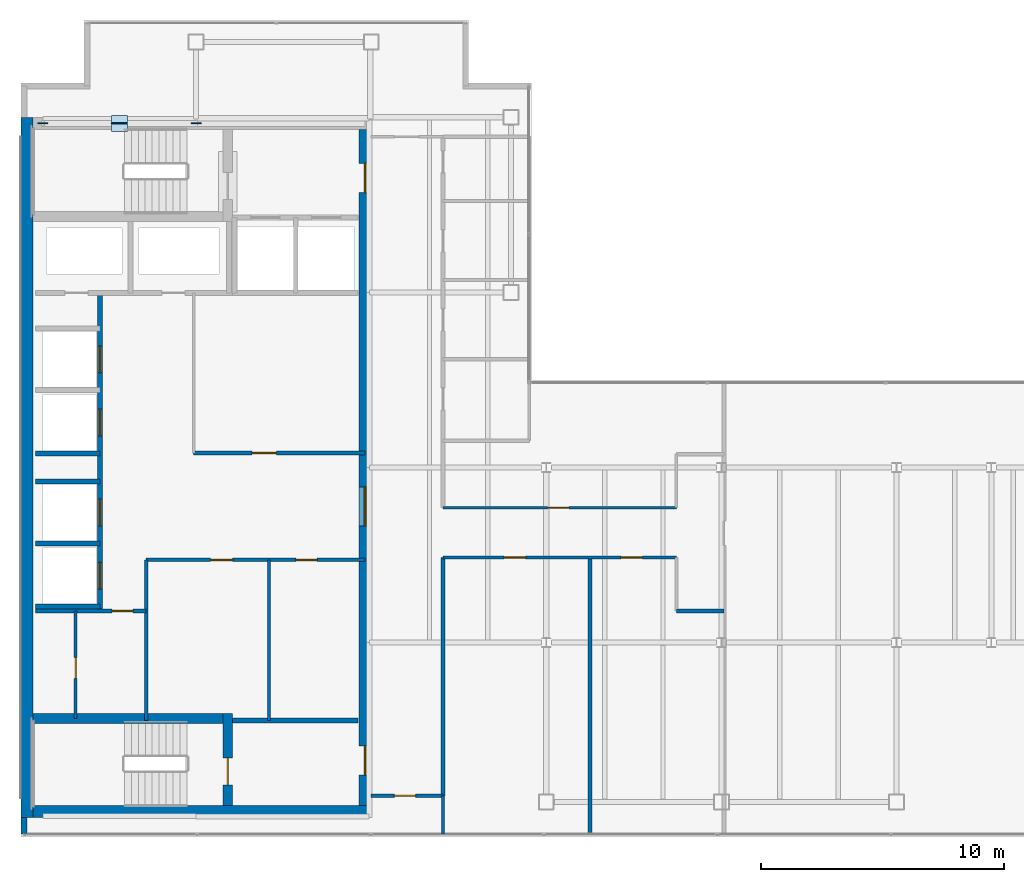
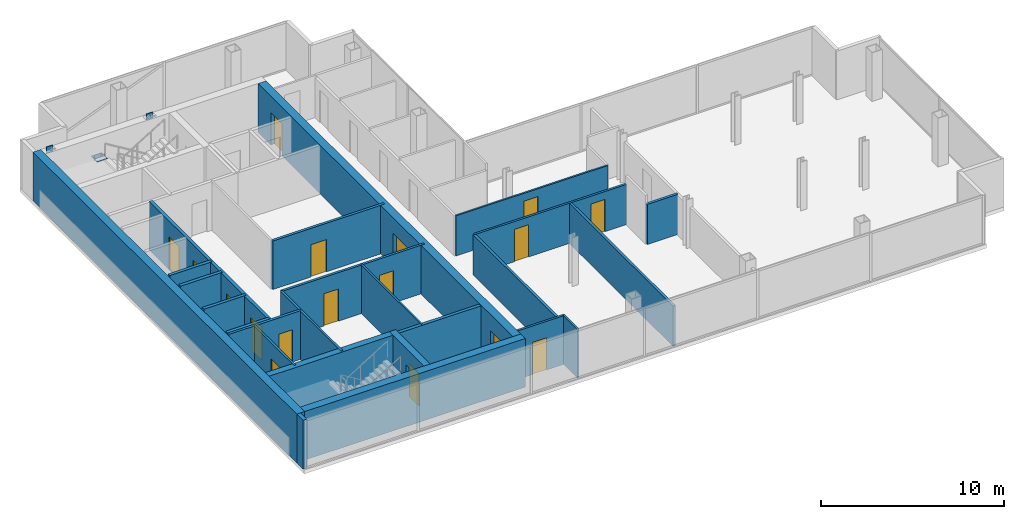
# One storey, part 20 of 23: 25 walls, 17 doors, 5 plates, 17 openings.
"""IFC4 building model written with IfcOpenShell, lengths in metres."""

from ifc_helpers import new_model, si_unit, direction, frame, frame_2d, origin, origin_2d, place, context, subcontext, project, spatial, rectangle, extrude, material, layer, layer_set, type_object, element, fill, save


model = new_model("IFC4")

# Units and contexts
model_context = context("Model", 3, precision=1e-05, world=origin(), true_north=direction((0.0, 1.0)))
body_context = subcontext(model_context, "Body", "Model", "MODEL_VIEW")
ifc_project = project(units=[si_unit("LENGTHUNIT", "METRE"), si_unit("AREAUNIT", "SQUARE_METRE"), si_unit("VOLUMEUNIT", "CUBIC_METRE"), si_unit("PLANEANGLEUNIT", "RADIAN"), si_unit("MASSUNIT", "GRAM", prefix="KILO")], contexts=[model_context])

# Site, building, storey
site_placement = place(None, origin())
site = spatial("IfcSite", under=ifc_project, at=site_placement, CompositionType="ELEMENT")
building_placement = place(site_placement, origin())
building = spatial("IfcBuilding", under=site, at=building_placement, Name="Cobrela Telecom Tower", CompositionType="ELEMENT")
storey_placement = place(building_placement, frame((0.0, 0.0, 269.14990234375)))
storey = spatial("IfcBuildingStorey", under=building, at=storey_placement, Name="L70", CompositionType="ELEMENT", Elevation=269.14990234375)

# Plates
ifc_material_1 = material(Name="Steel ASTM A572 Grade 50", Category="steel")
ifc_layer_1 = layer(ifc_material_1, 0.0419921875)
ifc_layer_set_1 = layer_set([ifc_layer_1], Name="Steel ASTM A572 Grade 50")
plate_type = type_object("IfcPlateType", Name="PLT-NODE-ND1", PredefinedType="USERDEFINED", material=ifc_layer_set_1)
for number, where, z_axis, x_axis, name in (
    (1, (7.199951171875, 35.75, 3.0751953125), (0.0, 0.0, 1.0), (1.0, 0.0, 0.0), "Steel node plate PLT-MBR-EXO-L70-N1-A-1"),
    (2, (4.173828125, 35.75, 1.349609375), (0.0, 0.0, 1.0), (-1.0, 0.0, 0.0), "Steel node plate PLT-MBR-EXO-L70-N1-B1-1"),
    (3, (3.926025390625, 35.75, 1.48046875), (0.0, 0.0, 1.0), (-1.0, 0.0, 0.0), "Steel node plate PLT-MBR-EXO-L70-N1-B2-0"),
    (4, (0.89990234375, 35.75, 3.0751953125), (0.0, 0.0, 1.0), (-1.0, 0.0, 0.0), "Steel node plate PLT-MBR-EXO-L70-N1-B2-1"),
):
    element("IfcPlate", number, at=place(storey_placement, frame(where, z_axis=z_axis, x_axis=x_axis)), inside=storey, type_object=plate_type, Name=name, ObjectType="GUSSET PLATE", PredefinedType="USERDEFINED", context=body_context, shape_type="SweptSolid", body=[
        extrude(rectangle(XDim=0.409912109375, YDim=0.044921875, at=origin_2d()), origin(), (0.0, 0.0, 1.0), 0.409912109375),
    ])
plate_placement = place(storey_placement, frame((4.050048828125, 35.75, 1.59765625), z_axis=(0.0, 0.0, 1.0), x_axis=(1.0, 0.0, 0.0)))
element("IfcPlate", 5, at=plate_placement, inside=storey, type_object=plate_type, Name="L70 Core Flange Steel X-Brace Central X-Crossing Gusset Plate", ObjectType="GUSSET PLATE", PredefinedType="USERDEFINED", context=body_context, shape_type="SweptSolid", body=[
    extrude(rectangle(XDim=0.64990234375, YDim=0.64990234375, at=origin_2d()), origin(), (0.0, 0.0, 1.0), 0.044921875),
])

# Walls
ifc_material_2 = material(Name="Concrete C40/50", Category="concrete")
ifc_layer_2 = layer(ifc_material_2, 0.5)
ifc_layer_set_2 = layer_set([ifc_layer_2], Name="Concrete C40/50")
wall_type_1 = type_object("IfcWallType", Name="WALL-CORE-C40-500", PredefinedType="SHEAR", material=ifc_layer_set_2)
wall_1_placement = place(storey_placement, frame((0.25, 7.199951171875, 0.0), z_axis=(0.0, 0.0, 1.0), x_axis=(0.0, 1.0, 0.0)))
element("IfcWall", 6, at=wall_1_placement, inside=storey, type_object=wall_type_1, Name="L70 West Core Shear Wall", PredefinedType="SHEAR", context=body_context, shape_type="SweptSolid", body=[
    extrude(rectangle(XDim=28.800048828125, YDim=0.5, at=frame_2d((14.39990234375, 0.0))), origin(), (0.0, 0.0, 1.0), 3.239990234375),
])
wall_2_placement = place(storey_placement, frame((0.5, 7.449951171875, 0.0), z_axis=(0.0, 0.0, 1.0), x_axis=(1.0, 0.0, 0.0)))
element("IfcWall", 7, at=wall_2_placement, inside=storey, type_object=wall_type_1, Name="L70 South Core Shear Wall", PredefinedType="SHEAR", context=body_context, shape_type="SweptSolid", body=[
    extrude(rectangle(XDim=13.89990234375, YDim=0.5, at=frame_2d((6.949951171875, 0.0))), origin(), (0.0, 0.0, 1.0), 3.239990234375),
])

# Wall, openings, doors
wall_3_placement = place(storey_placement, frame((14.14990234375, 35.5, 0.0), z_axis=(0.0, 0.0, 1.0), x_axis=(0.0, -1.0, 0.0)))
wall_3 = element("IfcWall", 8, at=wall_3_placement, inside=storey, type_object=wall_type_1, Name="L70 East Core Shear Wall", PredefinedType="SHEAR", context=body_context, shape_type="SweptSolid", body=[
    extrude(rectangle(XDim=27.800048828125, YDim=0.5, at=frame_2d((13.89990234375, 0.0))), origin(), (0.0, 0.0, 1.0), 3.239990234375),
])
opening_1_placement = place(wall_3_placement, frame((1.39990234375, 0.0, 0.0)))
opening_1 = element("IfcOpeningElement", 9, at=opening_1_placement, cuts=wall_3, Name="Opening DR-19", PredefinedType="OPENING", context=body_context, shape_type="SweptSolid", body=[
    extrude(rectangle(XDim=1.199951171875, YDim=2.14990234375, at=frame_2d((0.60009765625, 1.074951171875))), frame((0.0, 0.261962890625, 0.0), z_axis=(0.0, -1.0, 0.0), x_axis=(1.0, 0.0, 0.0)), (0.0, 0.0, 1.0), 0.52392578125),
])
opening_2_placement = place(wall_3_placement, frame((25.35009765625, 0.0, 0.0)))
opening_2 = element("IfcOpeningElement", 10, at=opening_2_placement, cuts=wall_3, Name="Opening DR-19", PredefinedType="OPENING", context=body_context, shape_type="SweptSolid", body=[
    extrude(rectangle(XDim=1.199951171875, YDim=2.14990234375, at=frame_2d((0.60009765625, 1.074951171875))), frame((0.0, 0.261962890625, 0.0), z_axis=(0.0, -1.0, 0.0), x_axis=(1.0, 0.0, 0.0)), (0.0, 0.0, 1.0), 0.52392578125),
])
opening_3_placement = place(wall_3_placement, frame((14.699951171875, 0.0, 0.0)))
opening_3 = element("IfcOpeningElement", 11, at=opening_3_placement, cuts=wall_3, Name="Opening DR-51", PredefinedType="OPENING", context=body_context, shape_type="SweptSolid", body=[
    extrude(rectangle(XDim=1.60009765625, YDim=2.199951171875, at=frame_2d((0.800048828125, 1.10009765625))), frame((0.0, 0.261962890625, 0.0), z_axis=(0.0, -1.0, 0.0), x_axis=(1.0, 0.0, 0.0)), (0.0, 0.0, 1.0), 0.52392578125),
])
ifc_material_3 = material(Name="Steel ASTM A36", Category="steel")
door_type_1 = type_object("IfcDoorType", Name="DOOR-FD60-1200", OperationType="SINGLE_SWING_LEFT", PredefinedType="DOOR", material=ifc_material_3)
door_1_placement = place(opening_1_placement, origin())
door_1 = element("IfcDoor", 12, at=door_1_placement, inside=storey, type_object=door_type_1, Name="L70 Door DR-19", OperationType="SINGLE_SWING_LEFT", OverallHeight=2.14990234375, OverallWidth=1.199951171875, PredefinedType="DOOR", context=body_context, shape_type="SweptSolid", body=[
    extrude(rectangle(XDim=1.199951171875, YDim=2.14990234375, at=frame_2d((0.60009765625, 1.074951171875))), frame((0.0, 0.02490234375, 0.0), z_axis=(0.0, -1.0, 0.0), x_axis=(1.0, 0.0, 0.0)), (0.0, 0.0, 1.0), 0.050048828125),
])
fill(opening_1, door_1)
door_2_placement = place(opening_2_placement, origin())
door_2 = element("IfcDoor", 13, at=door_2_placement, inside=storey, type_object=door_type_1, Name="L70 Door DR-19", OperationType="SINGLE_SWING_RIGHT", OverallHeight=2.14990234375, OverallWidth=1.199951171875, PredefinedType="DOOR", context=body_context, shape_type="SweptSolid", body=[
    extrude(rectangle(XDim=1.199951171875, YDim=2.14990234375, at=frame_2d((0.60009765625, 1.074951171875))), frame((0.0, 0.02490234375, 0.0), z_axis=(0.0, -1.0, 0.0), x_axis=(1.0, 0.0, 0.0)), (0.0, 0.0, 1.0), 0.050048828125),
])
fill(opening_2, door_2)
door_type_2 = type_object("IfcDoorType", Name="DOOR-FD60-1600", OperationType="SINGLE_SWING_LEFT", PredefinedType="DOOR", material=ifc_material_3)
door_3_placement = place(opening_3_placement, origin())
door_3 = element("IfcDoor", 14, at=door_3_placement, inside=storey, type_object=door_type_2, Name="L70 Door DR-51", OperationType="DOUBLE_DOOR_SINGLE_SWING", OverallHeight=2.199951171875, OverallWidth=1.60009765625, PredefinedType="DOOR", context=body_context, shape_type="SweptSolid", body=[
    extrude(rectangle(XDim=1.60009765625, YDim=2.199951171875, at=frame_2d((0.800048828125, 1.10009765625))), frame((0.0, 0.02490234375, 0.0), z_axis=(0.0, -1.0, 0.0), x_axis=(1.0, 0.0, 0.0)), (0.0, 0.0, 1.0), 0.050048828125),
])
fill(opening_3, door_3)

# Walls
ifc_layer_3 = layer(ifc_material_2, 0.239990234375)
ifc_layer_set_3 = layer_set([ifc_layer_3], Name="Concrete C40/50")
wall_type_2 = type_object("IfcWallType", Name="WALL-EXT-300", PredefinedType="STANDARD", material=ifc_layer_set_3)
wall_4_placement = place(storey_placement, frame((0.1201171875, 6.52001953125, 0.0), z_axis=(0.0, 0.0, 1.0), x_axis=(0.0, 1.0, 0.0)))
element("IfcWall", 15, at=wall_4_placement, inside=storey, type_object=wall_type_2, Name="L70 Insulated Facade Wall 01", PredefinedType="STANDARD", context=body_context, shape_type="SweptSolid", body=[
    extrude(rectangle(XDim=0.679931640625, YDim=0.239990234375, at=frame_2d((0.33984375, 0.0))), origin(), (0.0, 0.0, 1.0), 3.239990234375),
])
ifc_material_4 = material(Name="Fire-Rated Gypsum Plasterboard")
ifc_layer_4 = layer(ifc_material_4, 0.110107421875)
ifc_layer_set_4 = layer_set([ifc_layer_4], Name="Fire-Rated Gypsum Plasterboard")
wall_type_3 = type_object("IfcWallType", Name="WALL-PART-110", PredefinedType="PARTITIONING", material=ifc_layer_set_4)
wall_5_placement = place(storey_placement, frame((10.199951171875, 11.199951171875, 0.0), z_axis=(0.0, 0.0, 1.0), x_axis=(0.0, 1.0, 0.0)))
element("IfcWall", 16, at=wall_5_placement, inside=storey, type_object=wall_type_3, Name="L70 Interior Partition CW-RECM-V", PredefinedType="PARTITIONING", context=body_context, shape_type="SweptSolid", body=[
    extrude(rectangle(XDim=6.60009765625, YDim=0.110107421875, at=frame_2d((3.300048828125, 0.0))), origin(), (0.0, 0.0, 1.0), 3.239990234375),
])

# Wall, opening, door
wall_6_placement = place(storey_placement, frame((17.35009765625, 19.949951171875, 0.0), z_axis=(0.0, 0.0, 1.0), x_axis=(1.0, 0.0, 0.0)))
wall_6 = element("IfcWall", 17, at=wall_6_placement, inside=storey, type_object=wall_type_3, Name="L70 Interior Partition W-C-HN", PredefinedType="PARTITIONING", context=body_context, shape_type="SweptSolid", body=[
    extrude(rectangle(XDim=9.599853515625, YDim=0.110107421875, at=frame_2d((4.7998046875, 0.0))), origin(), (0.0, 0.0, 1.0), 2.676025390625),
])
opening_4_placement = place(wall_6_placement, frame((4.300048828125, 0.0, 0.0)))
opening_4 = element("IfcOpeningElement", 18, at=opening_4_placement, cuts=wall_6, Name="Opening DR-39", PredefinedType="OPENING", context=body_context, shape_type="SweptSolid", body=[
    extrude(rectangle(XDim=0.8798828125, YDim=2.14990234375, at=frame_2d((0.43994140625, 1.074951171875))), frame((0.0, 0.06689453125, 0.0), z_axis=(0.0, -1.0, 0.0), x_axis=(1.0, 0.0, 0.0)), (0.0, 0.0, 1.0), 0.134033203125),
])
ifc_material_5 = material(Name="Solid Engineered Oak Timber", Category="wood")
door_type_3 = type_object("IfcDoorType", Name="DOOR-INT-880", OperationType="SINGLE_SWING_LEFT", PredefinedType="DOOR", material=ifc_material_5)
door_4_placement = place(opening_4_placement, origin())
door_4 = element("IfcDoor", 19, at=door_4_placement, inside=storey, type_object=door_type_3, Name="L70 Door DR-39", OperationType="SINGLE_SWING_LEFT", OverallHeight=2.14990234375, OverallWidth=0.8798828125, PredefinedType="DOOR", context=body_context, shape_type="SweptSolid", body=[
    extrude(rectangle(XDim=0.8798828125, YDim=2.14990234375, at=frame_2d((0.43994140625, 1.074951171875))), frame((0.0, 0.02490234375, 0.0), z_axis=(0.0, -1.0, 0.0), x_axis=(1.0, 0.0, 0.0)), (0.0, 0.0, 1.0), 0.050048828125),
])
fill(opening_4, door_4)

# Wall
wall_7_placement = place(storey_placement, frame((17.35009765625, 6.52001953125, 0.0), z_axis=(0.0, 0.0, 1.0), x_axis=(0.0, 1.0, 0.0)))
element("IfcWall", 20, at=wall_7_placement, inside=storey, type_object=wall_type_3, Name="L70 Interior Partition W-SW-E", PredefinedType="PARTITIONING", context=body_context, shape_type="SweptSolid", body=[
    extrude(rectangle(XDim=1.580078125, YDim=0.110107421875, at=frame_2d((0.7900390625, 0.0))), origin(), (0.0, 0.0, 1.0), 3.239990234375),
])

# Wall, opening, door
ifc_layer_5 = layer(ifc_material_4, 0.125)
ifc_layer_set_5 = layer_set([ifc_layer_5], Name="Fire-Rated Gypsum Plasterboard")
wall_type_4 = type_object("IfcWallType", Name="WALL-PART-125", PredefinedType="PARTITIONING", material=ifc_layer_set_5)
wall_8_placement = place(storey_placement, frame((2.25, 11.280029296875, 0.0), z_axis=(0.0, 0.0, 1.0), x_axis=(0.0, 1.0, 0.0)))
wall_8 = element("IfcWall", 21, at=wall_8_placement, inside=storey, type_object=wall_type_4, Name="L70 Interior Partition CW-FK0-V", PredefinedType="PARTITIONING", context=body_context, shape_type="SweptSolid", body=[
    extrude(rectangle(XDim=4.419921875, YDim=0.125, at=frame_2d((2.2099609375, 0.0))), origin(), (0.0, 0.0, 1.0), 3.239990234375),
])
opening_5_placement = place(wall_8_placement, frame((1.64990234375, 0.0, 0.0)))
opening_5 = element("IfcOpeningElement", 22, at=opening_5_placement, cuts=wall_8, Name="Opening DR-11", PredefinedType="OPENING", context=body_context, shape_type="SweptSolid", body=[
    extrude(rectangle(XDim=0.85009765625, YDim=2.14990234375, at=frame_2d((0.425048828125, 1.074951171875))), frame((0.0, 0.074462890625, 0.0), z_axis=(0.0, -1.0, 0.0), x_axis=(1.0, 0.0, 0.0)), (0.0, 0.0, 1.0), 0.14892578125),
])
door_type_4 = type_object("IfcDoorType", Name="DOOR-INT-850", OperationType="SINGLE_SWING_LEFT", PredefinedType="DOOR", material=ifc_material_5)
door_5_placement = place(opening_5_placement, origin())
door_5 = element("IfcDoor", 23, at=door_5_placement, inside=storey, type_object=door_type_4, Name="L70 Door DR-11", OperationType="SINGLE_SWING_LEFT", OverallHeight=2.14990234375, OverallWidth=0.85009765625, PredefinedType="DOOR", context=body_context, shape_type="SweptSolid", body=[
    extrude(rectangle(XDim=0.85009765625, YDim=2.14990234375, at=frame_2d((0.425048828125, 1.074951171875))), frame((0.0, 0.02490234375, 0.0), z_axis=(0.0, -1.0, 0.0), x_axis=(1.0, 0.0, 0.0)), (0.0, 0.0, 1.0), 0.050048828125),
])
fill(opening_5, door_5)

# Wall
ifc_layer_6 = layer(ifc_material_4, 0.135009765625)
ifc_layer_set_6 = layer_set([ifc_layer_6], Name="Fire-Rated Gypsum Plasterboard")
wall_type_5 = type_object("IfcWallType", Name="WALL-PART-135", PredefinedType="PARTITIONING", material=ifc_layer_set_6)
wall_9_placement = place(storey_placement, frame((5.14990234375, 11.199951171875, 0.0), z_axis=(0.0, 0.0, 1.0), x_axis=(0.0, 1.0, 0.0)))
element("IfcWall", 24, at=wall_9_placement, inside=storey, type_object=wall_type_5, Name="L70 Interior Partition CW-RECM-W", PredefinedType="PARTITIONING", context=body_context, shape_type="SweptSolid", body=[
    extrude(rectangle(XDim=6.60009765625, YDim=0.135009765625, at=frame_2d((3.300048828125, 0.0))), origin(), (0.0, 0.0, 1.0), 3.239990234375),
])

# Wall, opening, door
wall_10_placement = place(storey_placement, frame((14.39990234375, 8.10009765625, 0.0), z_axis=(0.0, 0.0, 1.0), x_axis=(1.0, 0.0, 0.0)))
wall_10 = element("IfcWall", 25, at=wall_10_placement, inside=storey, type_object=wall_type_5, Name="L70 Interior Partition W-C-S0", PredefinedType="PARTITIONING", context=body_context, shape_type="SweptSolid", body=[
    extrude(rectangle(XDim=2.9501953125, YDim=0.135009765625, at=frame_2d((1.47509765625, 0.0))), origin(), (0.0, 0.0, 1.0), 3.239990234375),
])
opening_6_placement = place(wall_10_placement, frame((0.949951171875, 0.0, 0.0)))
opening_6 = element("IfcOpeningElement", 26, at=opening_6_placement, cuts=wall_10, Name="Opening DR-39", PredefinedType="OPENING", context=body_context, shape_type="SweptSolid", body=[
    extrude(rectangle(XDim=0.8798828125, YDim=2.14990234375, at=frame_2d((0.43994140625, 1.074951171875))), frame((0.0, 0.07958984375, 0.0), z_axis=(0.0, -1.0, 0.0), x_axis=(1.0, 0.0, 0.0)), (0.0, 0.0, 1.0), 0.158935546875),
])
door_6_placement = place(opening_6_placement, origin())
door_6 = element("IfcDoor", 27, at=door_6_placement, inside=storey, type_object=door_type_3, Name="L70 Door DR-39", OperationType="SINGLE_SWING_RIGHT", OverallHeight=2.14990234375, OverallWidth=0.8798828125, PredefinedType="DOOR", context=body_context, shape_type="SweptSolid", body=[
    extrude(rectangle(XDim=0.8798828125, YDim=2.14990234375, at=frame_2d((0.43994140625, 1.074951171875))), frame((0.0, 0.02490234375, 0.0), z_axis=(0.0, -1.0, 0.0), x_axis=(1.0, 0.0, 0.0)), (0.0, 0.0, 1.0), 0.050048828125),
])
fill(opening_6, door_6)

# Wall, openings, doors
wall_11_placement = place(storey_placement, frame((17.35009765625, 17.89990234375, 0.0), z_axis=(0.0, 0.0, 1.0), x_axis=(1.0, 0.0, 0.0)))
wall_11 = element("IfcWall", 28, at=wall_11_placement, inside=storey, type_object=wall_type_5, Name="L70 Interior Partition W-C-HS", PredefinedType="PARTITIONING", context=body_context, shape_type="SweptSolid", body=[
    extrude(rectangle(XDim=9.599853515625, YDim=0.135009765625, at=frame_2d((4.7998046875, 0.0))), origin(), (0.0, 0.0, 1.0), 2.676025390625),
])
opening_7_placement = place(wall_11_placement, frame((2.52001953125, 0.0, 0.0)))
opening_7 = element("IfcOpeningElement", 29, at=opening_7_placement, cuts=wall_11, Name="Opening DR-39", PredefinedType="OPENING", context=body_context, shape_type="SweptSolid", body=[
    extrude(rectangle(XDim=0.8798828125, YDim=2.14990234375, at=frame_2d((0.43994140625, 1.074951171875))), frame((0.0, 0.07958984375, 0.0), z_axis=(0.0, -1.0, 0.0), x_axis=(1.0, 0.0, 0.0)), (0.0, 0.0, 1.0), 0.158935546875),
])
opening_8_placement = place(wall_11_placement, frame((7.320068359375, 0.0, 0.0)))
opening_8 = element("IfcOpeningElement", 30, at=opening_8_placement, cuts=wall_11, Name="Opening DR-39", PredefinedType="OPENING", context=body_context, shape_type="SweptSolid", body=[
    extrude(rectangle(XDim=0.8798828125, YDim=2.14990234375, at=frame_2d((0.43994140625, 1.074951171875))), frame((0.0, 0.07958984375, 0.0), z_axis=(0.0, -1.0, 0.0), x_axis=(1.0, 0.0, 0.0)), (0.0, 0.0, 1.0), 0.158935546875),
])
door_7_placement = place(opening_7_placement, origin())
door_7 = element("IfcDoor", 31, at=door_7_placement, inside=storey, type_object=door_type_3, Name="L70 Door DR-39", OperationType="SINGLE_SWING_LEFT", OverallHeight=2.14990234375, OverallWidth=0.8798828125, PredefinedType="DOOR", context=body_context, shape_type="SweptSolid", body=[
    extrude(rectangle(XDim=0.8798828125, YDim=2.14990234375, at=frame_2d((0.43994140625, 1.074951171875))), frame((0.0, 0.02490234375, 0.0), z_axis=(0.0, -1.0, 0.0), x_axis=(1.0, 0.0, 0.0)), (0.0, 0.0, 1.0), 0.050048828125),
])
fill(opening_7, door_7)
door_8_placement = place(opening_8_placement, origin())
door_8 = element("IfcDoor", 32, at=door_8_placement, inside=storey, type_object=door_type_3, Name="L70 Door DR-39", OperationType="SINGLE_SWING_RIGHT", OverallHeight=2.14990234375, OverallWidth=0.8798828125, PredefinedType="DOOR", context=body_context, shape_type="SweptSolid", body=[
    extrude(rectangle(XDim=0.8798828125, YDim=2.14990234375, at=frame_2d((0.43994140625, 1.074951171875))), frame((0.0, 0.02490234375, 0.0), z_axis=(0.0, -1.0, 0.0), x_axis=(1.0, 0.0, 0.0)), (0.0, 0.0, 1.0), 0.050048828125),
])
fill(opening_8, door_8)

ifc_layer_7 = layer(ifc_material_4, 0.14990234375)
ifc_layer_set_7 = layer_set([ifc_layer_7], Name="Fire-Rated Gypsum Plasterboard")
wall_type_6 = type_object("IfcWallType", Name="WALL-PART-150", PredefinedType="PARTITIONING", material=ifc_layer_set_7)
wall_12_placement = place(storey_placement, frame((5.14990234375, 17.800048828125, 0.0), z_axis=(0.0, 0.0, 1.0), x_axis=(1.0, 0.0, 0.0)))
wall_12 = element("IfcWall", 33, at=wall_12_placement, inside=storey, type_object=wall_type_6, Name="L70 Interior Partition CW-RECM-N", PredefinedType="PARTITIONING", context=body_context, shape_type="SweptSolid", body=[
    extrude(rectangle(XDim=9.0, YDim=0.14990234375, at=frame_2d((4.5, 0.0))), origin(), (0.0, 0.0, 1.0), 3.239990234375),
])
opening_9_placement = place(wall_12_placement, frame((2.64990234375, 0.0, 0.0)))
opening_9 = element("IfcOpeningElement", 34, at=opening_9_placement, cuts=wall_12, Name="Opening DR-41", PredefinedType="OPENING", context=body_context, shape_type="SweptSolid", body=[
    extrude(rectangle(XDim=0.89990234375, YDim=2.14990234375, at=frame_2d((0.449951171875, 1.074951171875))), frame((0.0, 0.0869140625, 0.0), z_axis=(0.0, -1.0, 0.0), x_axis=(1.0, 0.0, 0.0)), (0.0, 0.0, 1.0), 0.173828125),
])
opening_10_placement = place(wall_12_placement, frame((6.14990234375, 0.0, 0.0)))
opening_10 = element("IfcOpeningElement", 35, at=opening_10_placement, cuts=wall_12, Name="Opening DR-39", PredefinedType="OPENING", context=body_context, shape_type="SweptSolid", body=[
    extrude(rectangle(XDim=0.8798828125, YDim=2.14990234375, at=frame_2d((0.43994140625, 1.074951171875))), frame((0.0, 0.0869140625, 0.0), z_axis=(0.0, -1.0, 0.0), x_axis=(1.0, 0.0, 0.0)), (0.0, 0.0, 1.0), 0.173828125),
])
door_9_placement = place(opening_10_placement, origin())
door_9 = element("IfcDoor", 36, at=door_9_placement, inside=storey, type_object=door_type_3, Name="L70 Door DR-39", OperationType="SINGLE_SWING_RIGHT", OverallHeight=2.14990234375, OverallWidth=0.8798828125, PredefinedType="DOOR", context=body_context, shape_type="SweptSolid", body=[
    extrude(rectangle(XDim=0.8798828125, YDim=2.14990234375, at=frame_2d((0.43994140625, 1.074951171875))), frame((0.0, 0.02490234375, 0.0), z_axis=(0.0, -1.0, 0.0), x_axis=(1.0, 0.0, 0.0)), (0.0, 0.0, 1.0), 0.050048828125),
])
fill(opening_10, door_9)
door_type_5 = type_object("IfcDoorType", Name="DOOR-INT-900", OperationType="SINGLE_SWING_LEFT", PredefinedType="DOOR", material=ifc_material_5)
door_10_placement = place(opening_9_placement, origin())
door_10 = element("IfcDoor", 37, at=door_10_placement, inside=storey, type_object=door_type_5, Name="L70 Door DR-41", OperationType="SINGLE_SWING_LEFT", OverallHeight=2.14990234375, OverallWidth=0.89990234375, PredefinedType="DOOR", context=body_context, shape_type="SweptSolid", body=[
    extrude(rectangle(XDim=0.89990234375, YDim=2.14990234375, at=frame_2d((0.449951171875, 1.074951171875))), frame((0.0, 0.02490234375, 0.0), z_axis=(0.0, -1.0, 0.0), x_axis=(1.0, 0.0, 0.0)), (0.0, 0.0, 1.0), 0.050048828125),
])
fill(opening_9, door_10)

# Wall, opening, door
ifc_layer_8 = layer(ifc_material_4, 0.159912109375)
ifc_layer_set_8 = layer_set([ifc_layer_8], Name="Fire-Rated Gypsum Plasterboard")
wall_type_7 = type_object("IfcWallType", Name="WALL-PART-160", PredefinedType="PARTITIONING", material=ifc_layer_set_8)
wall_13_placement = place(storey_placement, frame((7.10009765625, 22.199951171875, 0.0), z_axis=(0.0, 0.0, 1.0), x_axis=(1.0, 0.0, 0.0)))
wall_13 = element("IfcWall", 38, at=wall_13_placement, inside=storey, type_object=wall_type_7, Name="L70 Interior Partition CW-RECL-S", PredefinedType="PARTITIONING", context=body_context, shape_type="SweptSolid", body=[
    extrude(rectangle(XDim=7.0498046875, YDim=0.159912109375, at=frame_2d((3.52490234375, 0.0))), origin(), (0.0, 0.0, 1.0), 3.239990234375),
])
opening_11_placement = place(wall_13_placement, frame((2.39990234375, 0.0, 0.0)))
opening_11 = element("IfcOpeningElement", 39, at=opening_11_placement, cuts=wall_13, Name="Opening DR-31", PredefinedType="OPENING", context=body_context, shape_type="SweptSolid", body=[
    extrude(rectangle(XDim=1.0, YDim=2.14990234375, at=frame_2d((0.5, 1.074951171875))), frame((0.0, 0.091796875, 0.0), z_axis=(0.0, -1.0, 0.0), x_axis=(1.0, 0.0, 0.0)), (0.0, 0.0, 1.0), 0.183837890625),
])
door_type_6 = type_object("IfcDoorType", Name="DOOR-INT-1000", OperationType="SINGLE_SWING_LEFT", PredefinedType="DOOR", material=ifc_material_5)
door_11_placement = place(opening_11_placement, origin())
door_11 = element("IfcDoor", 40, at=door_11_placement, inside=storey, type_object=door_type_6, Name="L70 Door DR-31", OperationType="SINGLE_SWING_LEFT", OverallHeight=2.14990234375, OverallWidth=1.0, PredefinedType="DOOR", context=body_context, shape_type="SweptSolid", body=[
    extrude(rectangle(XDim=1.0, YDim=2.14990234375, at=frame_2d((0.5, 1.074951171875))), frame((0.0, 0.02490234375, 0.0), z_axis=(0.0, -1.0, 0.0), x_axis=(1.0, 0.0, 0.0)), (0.0, 0.0, 1.0), 0.050048828125),
])
fill(opening_11, door_11)

wall_14_placement = place(storey_placement, frame((0.60009765625, 15.699951171875, 0.0), z_axis=(0.0, 0.0, 1.0), x_axis=(1.0, 0.0, 0.0)))
wall_14 = element("IfcWall", 41, at=wall_14_placement, inside=storey, type_object=wall_type_7, Name="L70 Interior Partition CW-FLEX-N", PredefinedType="PARTITIONING", context=body_context, shape_type="SweptSolid", body=[
    extrude(rectangle(XDim=4.5498046875, YDim=0.159912109375, at=frame_2d((2.27490234375, 0.0))), origin(), (0.0, 0.0, 1.0), 3.239990234375),
])
opening_12_placement = place(wall_14_placement, frame((3.14990234375, 0.0, 0.0)))
opening_12 = element("IfcOpeningElement", 42, at=opening_12_placement, cuts=wall_14, Name="Opening DR-11", PredefinedType="OPENING", context=body_context, shape_type="SweptSolid", body=[
    extrude(rectangle(XDim=0.85009765625, YDim=2.14990234375, at=frame_2d((0.425048828125, 1.074951171875))), frame((0.0, 0.091796875, 0.0), z_axis=(0.0, -1.0, 0.0), x_axis=(1.0, 0.0, 0.0)), (0.0, 0.0, 1.0), 0.183837890625),
])
door_12_placement = place(opening_12_placement, origin())
door_12 = element("IfcDoor", 43, at=door_12_placement, inside=storey, type_object=door_type_4, Name="L70 Door DR-11", OperationType="SINGLE_SWING_RIGHT", OverallHeight=2.14990234375, OverallWidth=0.85009765625, PredefinedType="DOOR", context=body_context, shape_type="SweptSolid", body=[
    extrude(rectangle(XDim=0.85009765625, YDim=2.14990234375, at=frame_2d((0.425048828125, 1.074951171875))), frame((0.0, 0.02490234375, 0.0), z_axis=(0.0, -1.0, 0.0), x_axis=(1.0, 0.0, 0.0)), (0.0, 0.0, 1.0), 0.050048828125),
])
fill(opening_12, door_12)

# Walls
wall_15_placement = place(storey_placement, frame((17.35009765625, 8.10009765625, 0.0), z_axis=(0.0, 0.0, 1.0), x_axis=(0.0, 1.0, 0.0)))
element("IfcWall", 44, at=wall_15_placement, inside=storey, type_object=wall_type_7, Name="L70 Interior Partition W-C-E1", PredefinedType="PARTITIONING", context=body_context, shape_type="SweptSolid", body=[
    extrude(rectangle(XDim=9.7998046875, YDim=0.159912109375, at=frame_2d((4.89990234375, 0.0))), origin(), (0.0, 0.0, 1.0), 2.676025390625),
])
wall_16_placement = place(storey_placement, frame((26.949951171875, 15.699951171875, 0.0), z_axis=(0.0, 0.0, 1.0), x_axis=(1.0, 0.0, 0.0)))
element("IfcWall", 45, at=wall_16_placement, inside=storey, type_object=wall_type_7, Name="L70 Interior Partition W-CT-S", PredefinedType="PARTITIONING", context=body_context, shape_type="SweptSolid", body=[
    extrude(rectangle(XDim=1.949951171875, YDim=0.159912109375, at=frame_2d((0.97509765625, 0.0))), origin(), (0.0, 0.0, 1.0), 2.676025390625),
])
wall_17_placement = place(storey_placement, frame((23.39990234375, 6.52001953125, 0.0), z_axis=(0.0, 0.0, 1.0), x_axis=(0.0, 1.0, 0.0)))
element("IfcWall", 46, at=wall_17_placement, inside=storey, type_object=wall_type_7, Name="L70 Interior Partition W-SV-1", PredefinedType="PARTITIONING", context=body_context, shape_type="SweptSolid", body=[
    extrude(rectangle(XDim=11.3798828125, YDim=0.159912109375, at=frame_2d((5.68994140625, 0.0))), origin(), (0.0, 0.0, 1.0), 2.676025390625),
])
ifc_layer_9 = layer(ifc_material_4, 0.199951171875)
ifc_layer_set_9 = layer_set([ifc_layer_9], Name="Fire-Rated Gypsum Plasterboard")
wall_type_8 = type_object("IfcWallType", Name="WALL-SHAFT-200", PredefinedType="PARTITIONING", material=ifc_layer_set_9)
wall_18_placement = place(storey_placement, frame((8.699951171875, 11.199951171875, 0.0), z_axis=(0.0, 0.0, 1.0), x_axis=(1.0, 0.0, 0.0)))
element("IfcWall", 47, at=wall_18_placement, inside=storey, type_object=wall_type_8, Name="L70 Shaft Enclosure CW-ST2L-N", PredefinedType="PARTITIONING", context=body_context, shape_type="SweptSolid", body=[
    extrude(rectangle(XDim=5.150146484375, YDim=0.199951171875, at=frame_2d((2.5751953125, 0.0))), origin(), (0.0, 0.0, 1.0), 3.239990234375),
])

# Wall, openings, doors
wall_19_placement = place(storey_placement, frame((3.25, 15.699951171875, 0.0), z_axis=(0.0, 0.0, 1.0), x_axis=(0.0, 1.0, 0.0)))
wall_19 = element("IfcWall", 48, at=wall_19_placement, inside=storey, type_object=wall_type_8, Name="L70 Shaft Enclosure CW-PLH-E", PredefinedType="PARTITIONING", context=body_context, shape_type="SweptSolid", body=[
    extrude(rectangle(XDim=13.080078125, YDim=0.199951171875, at=frame_2d((6.5400390625, 0.0))), origin(), (0.0, 0.0, 1.0), 3.239990234375),
])
opening_13_placement = place(wall_19_placement, frame((0.89990234375, 0.0, 0.0)))
opening_13 = element("IfcOpeningElement", 49, at=opening_13_placement, cuts=wall_19, Name="Opening LD-1", PredefinedType="OPENING", context=body_context, shape_type="SweptSolid", body=[
    extrude(rectangle(XDim=1.10009765625, YDim=2.199951171875, at=frame_2d((0.550048828125, 1.10009765625))), frame((0.0, 0.11181640625, 0.0), z_axis=(0.0, -1.0, 0.0), x_axis=(1.0, 0.0, 0.0)), (0.0, 0.0, 1.0), 0.223876953125),
])
opening_14_placement = place(wall_19_placement, frame((3.5, 0.0, 0.0)))
opening_14 = element("IfcOpeningElement", 50, at=opening_14_placement, cuts=wall_19, Name="Opening LD-1", PredefinedType="OPENING", context=body_context, shape_type="SweptSolid", body=[
    extrude(rectangle(XDim=1.10009765625, YDim=2.199951171875, at=frame_2d((0.550048828125, 1.10009765625))), frame((0.0, 0.11181640625, 0.0), z_axis=(0.0, -1.0, 0.0), x_axis=(1.0, 0.0, 0.0)), (0.0, 0.0, 1.0), 0.223876953125),
])
opening_15_placement = place(wall_19_placement, frame((7.199951171875, 0.0, 0.0)))
opening_15 = element("IfcOpeningElement", 51, at=opening_15_placement, cuts=wall_19, Name="Opening LD-1", PredefinedType="OPENING", context=body_context, shape_type="SweptSolid", body=[
    extrude(rectangle(XDim=1.10009765625, YDim=2.199951171875, at=frame_2d((0.550048828125, 1.10009765625))), frame((0.0, 0.11181640625, 0.0), z_axis=(0.0, -1.0, 0.0), x_axis=(1.0, 0.0, 0.0)), (0.0, 0.0, 1.0), 0.223876953125),
])
opening_16_placement = place(wall_19_placement, frame((9.800048828125, 0.0, 0.0)))
opening_16 = element("IfcOpeningElement", 52, at=opening_16_placement, cuts=wall_19, Name="Opening LD-1", PredefinedType="OPENING", context=body_context, shape_type="SweptSolid", body=[
    extrude(rectangle(XDim=1.10009765625, YDim=2.199951171875, at=frame_2d((0.550048828125, 1.10009765625))), frame((0.0, 0.11181640625, 0.0), z_axis=(0.0, -1.0, 0.0), x_axis=(1.0, 0.0, 0.0)), (0.0, 0.0, 1.0), 0.223876953125),
])
door_type_7 = type_object("IfcDoorType", Name="DOOR-LD-PL", OperationType="SINGLE_SWING_LEFT", PredefinedType="DOOR", material=ifc_material_3)
door_13_placement = place(opening_13_placement, origin())
door_13 = element("IfcDoor", 53, at=door_13_placement, inside=storey, type_object=door_type_7, Name="L70 Lift Landing Door LD-1", OperationType="DOUBLE_DOOR_SLIDING", OverallHeight=2.199951171875, OverallWidth=1.10009765625, PredefinedType="DOOR", context=body_context, shape_type="SweptSolid", body=[
    extrude(rectangle(XDim=1.10009765625, YDim=2.199951171875, at=frame_2d((0.550048828125, 1.10009765625))), frame((0.0, 0.02490234375, 0.0), z_axis=(0.0, -1.0, 0.0), x_axis=(1.0, 0.0, 0.0)), (0.0, 0.0, 1.0), 0.050048828125),
])
fill(opening_13, door_13)
door_14_placement = place(opening_14_placement, origin())
door_14 = element("IfcDoor", 54, at=door_14_placement, inside=storey, type_object=door_type_7, Name="L70 Lift Landing Door LD-1", OperationType="DOUBLE_DOOR_SLIDING", OverallHeight=2.199951171875, OverallWidth=1.10009765625, PredefinedType="DOOR", context=body_context, shape_type="SweptSolid", body=[
    extrude(rectangle(XDim=1.10009765625, YDim=2.199951171875, at=frame_2d((0.550048828125, 1.10009765625))), frame((0.0, 0.02490234375, 0.0), z_axis=(0.0, -1.0, 0.0), x_axis=(1.0, 0.0, 0.0)), (0.0, 0.0, 1.0), 0.050048828125),
])
fill(opening_14, door_14)
door_15_placement = place(opening_15_placement, origin())
door_15 = element("IfcDoor", 55, at=door_15_placement, inside=storey, type_object=door_type_7, Name="L70 Lift Landing Door LD-1", OperationType="DOUBLE_DOOR_SLIDING", OverallHeight=2.199951171875, OverallWidth=1.10009765625, PredefinedType="DOOR", context=body_context, shape_type="SweptSolid", body=[
    extrude(rectangle(XDim=1.10009765625, YDim=2.199951171875, at=frame_2d((0.550048828125, 1.10009765625))), frame((0.0, 0.02490234375, 0.0), z_axis=(0.0, -1.0, 0.0), x_axis=(1.0, 0.0, 0.0)), (0.0, 0.0, 1.0), 0.050048828125),
])
fill(opening_15, door_15)
door_16_placement = place(opening_16_placement, origin())
door_16 = element("IfcDoor", 56, at=door_16_placement, inside=storey, type_object=door_type_7, Name="L70 Lift Landing Door LD-1", OperationType="DOUBLE_DOOR_SLIDING", OverallHeight=2.199951171875, OverallWidth=1.10009765625, PredefinedType="DOOR", context=body_context, shape_type="SweptSolid", body=[
    extrude(rectangle(XDim=1.10009765625, YDim=2.199951171875, at=frame_2d((0.550048828125, 1.10009765625))), frame((0.0, 0.02490234375, 0.0), z_axis=(0.0, -1.0, 0.0), x_axis=(1.0, 0.0, 0.0)), (0.0, 0.0, 1.0), 0.050048828125),
])
fill(opening_16, door_16)

# Walls
for number, where, z_axis, x_axis, name in (
    (57, (0.60009765625, 15.8798828125, 0.0), (0.0, 0.0, 1.0), (1.0, 0.0, 0.0), "L70 Shaft Enclosure CW-PLH-D9"),
    (58, (0.60009765625, 18.47998046875, 0.0), (0.0, 0.0, 1.0), (1.0, 0.0, 0.0), "L70 Shaft Enclosure CW-PLH-D10"),
    (59, (0.60009765625, 22.179931640625, 0.0), (0.0, 0.0, 1.0), (1.0, 0.0, 0.0), "L70 Shaft Enclosure CW-PLH-D11"),
    (60, (0.60009765625, 21.02001953125, 0.0), (0.0, 0.0, 1.0), (1.0, 0.0, 0.0), "L70 Shaft Enclosure CW-PLH-MID"),
):
    element("IfcWall", number, at=place(storey_placement, frame(where, z_axis=z_axis, x_axis=x_axis)), inside=storey, type_object=wall_type_8, Name=name, PredefinedType="PARTITIONING", context=body_context, shape_type="SweptSolid", body=[
        extrude(rectangle(XDim=2.64990234375, YDim=0.199951171875, at=frame_2d((1.324951171875, 0.0))), origin(), (0.0, 0.0, 1.0), 3.239990234375),
    ])
ifc_layer_10 = layer(ifc_material_2, 0.39990234375)
ifc_layer_set_10 = layer_set([ifc_layer_10], Name="Concrete C40/50")
wall_type_9 = type_object("IfcWallType", Name="WALL-SHAFT-C40-400", PredefinedType="SHEAR", material=ifc_layer_set_10)
wall_20_placement = place(storey_placement, frame((0.5, 11.280029296875, 0.0), z_axis=(0.0, 0.0, 1.0), x_axis=(1.0, 0.0, 0.0)))
element("IfcWall", 61, at=wall_20_placement, inside=storey, type_object=wall_type_9, Name="L70 South Stair Shear Wall", PredefinedType="SHEAR", context=body_context, shape_type="SweptSolid", body=[
    extrude(rectangle(XDim=7.800048828125, YDim=0.39990234375, at=frame_2d((3.89990234375, 0.0))), origin(), (0.0, 0.0, 1.0), 3.239990234375),
])

# Wall, opening, door
wall_21_placement = place(storey_placement, frame((8.5, 7.699951171875, 0.0), z_axis=(0.0, 0.0, 1.0), x_axis=(0.0, 1.0, 0.0)))
wall_21 = element("IfcWall", 62, at=wall_21_placement, inside=storey, type_object=wall_type_9, Name="L70 South Stair Lobby Shear Wall", PredefinedType="SHEAR", context=body_context, shape_type="SweptSolid", body=[
    extrude(rectangle(XDim=3.780029296875, YDim=0.39990234375, at=frame_2d((1.89013671875, 0.0))), origin(), (0.0, 0.0, 1.0), 3.239990234375),
])
opening_17_placement = place(wall_21_placement, frame((0.85009765625, 0.0, 0.0)))
opening_17 = element("IfcOpeningElement", 63, at=opening_17_placement, cuts=wall_21, Name="Opening FD-90", PredefinedType="OPENING", context=body_context, shape_type="SweptSolid", body=[
    extrude(rectangle(XDim=1.10009765625, YDim=2.14990234375, at=frame_2d((0.550048828125, 1.074951171875))), frame((0.0, 0.2119140625, 0.0), z_axis=(0.0, -1.0, 0.0), x_axis=(1.0, 0.0, 0.0)), (0.0, 0.0, 1.0), 0.423828125),
])
door_type_8 = type_object("IfcDoorType", Name="DOOR-FD90-1100", OperationType="SINGLE_SWING_LEFT", PredefinedType="DOOR", material=ifc_material_3)
door_17_placement = place(opening_17_placement, origin())
door_17 = element("IfcDoor", 64, at=door_17_placement, inside=storey, type_object=door_type_8, Name="L70 Door FD-90", OperationType="SINGLE_SWING_LEFT", OverallHeight=2.14990234375, OverallWidth=1.10009765625, PredefinedType="DOOR", context=body_context, shape_type="SweptSolid", body=[
    extrude(rectangle(XDim=1.10009765625, YDim=2.14990234375, at=frame_2d((0.550048828125, 1.074951171875))), frame((0.0, 0.02490234375, 0.0), z_axis=(0.0, -1.0, 0.0), x_axis=(1.0, 0.0, 0.0)), (0.0, 0.0, 1.0), 0.050048828125),
])
fill(opening_17, door_17)

save(model, "model.ifc")
